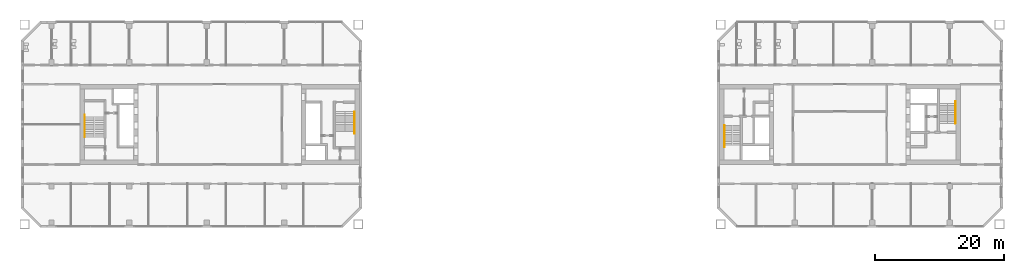
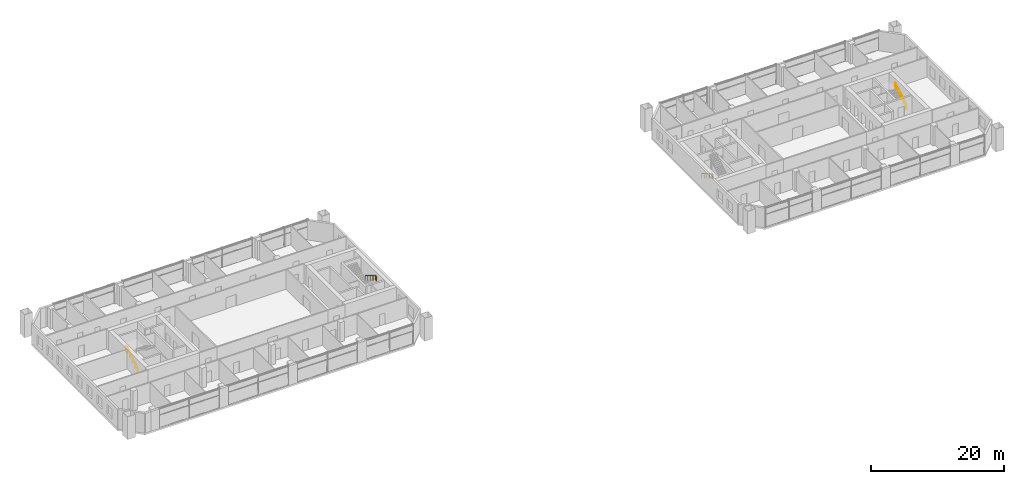
# One storey, part 18 of 19: 4 railings.
"""IFC4 building model written with IfcOpenShell, lengths in metres."""

import ifcopenshell
import ifcopenshell.guid

model = None  # the IFC model being written
_history = None  # IfcOwnerHistory: only IFC2X3 demands one
_inside = {}  # id of a spatial element -> (the spatial element, [elements in it])
_under = {}  # id of a project, library or spatial element -> (it, [spatial elements below it])
_declared = {}  # id of a project -> (the project, [libraries it declares])
_typed = {}  # id of a type object -> (the type object, [elements of that type])
_made_of = {}  # id of a material, layer set ... -> (it, [elements and type objects made of it])


def new_model(schema):
    """Start an empty IFC model of exactly this schema.

    Asked for "IFC4X3", IfcOpenShell would pick the latest addendum, in which some entities
    have other attributes; the version numbers below select the first issue.
    IFC2X3 requires an IfcOwnerHistory on every rooted entity: one is made here for all.
    """
    global model, _history
    if schema == "IFC4X3":
        model = ifcopenshell.file(schema_version=(4, 3, 0, 0))
    else:
        model = ifcopenshell.file(schema=schema)
    _inside.clear()
    _under.clear()
    _declared.clear()
    _typed.clear()
    _made_of.clear()
    _history = None
    if model.schema == "IFC2X3":
        org = make("IfcOrganization", Name="unknown")
        user = make(
            "IfcPersonAndOrganization",
            ThePerson=make("IfcPerson", FamilyName="unknown"),
            TheOrganization=org,
        )
        app = make(
            "IfcApplication",
            ApplicationDeveloper=org,
            Version="unknown",
            ApplicationFullName="unknown",
            ApplicationIdentifier="unknown",
        )
        _history = make(
            "IfcOwnerHistory",
            OwningUser=user,
            OwningApplication=app,
            ChangeAction="ADDED",
            CreationDate=0,
        )
    return model


def make(cls, **values):
    """One entity of the class cls with the attributes given. An attribute that is None is left unset."""
    return model.create_entity(
        cls, **{name: value for name, value in values.items() if value is not None}
    )


def rooted(cls, **values):
    """An entity with a GlobalId (a new one), such as an element, a storey or a relation."""
    return make(cls, GlobalId=ifcopenshell.guid.new(), OwnerHistory=_history, **values)


def si_unit(unit_type, name, prefix=None):
    """IfcSIUnit, for example si_unit("LENGTHUNIT", "METRE", prefix="MILLI")."""
    return make("IfcSIUnit", UnitType=unit_type, Prefix=prefix, Name=name)


def assignment(units):
    """IfcUnitAssignment: the units of a project."""
    return None if units is None else make("IfcUnitAssignment", Units=units)


def point(xyz):
    """IfcCartesianPoint."""
    return None if xyz is None else make("IfcCartesianPoint", Coordinates=xyz)


def direction(xyz):
    """IfcDirection."""
    return None if xyz is None else make("IfcDirection", DirectionRatios=xyz)


def frame(location, z_axis=None, x_axis=None):
    """IfcAxis2Placement3D, a coordinate frame: its origin and axes. An axis left out is left unset."""
    return make(
        "IfcAxis2Placement3D",
        Location=point(location),
        Axis=direction(z_axis),
        RefDirection=direction(x_axis),
    )


def frame_2d(location, x_axis=None):
    """IfcAxis2Placement2D, a coordinate frame in the plane: its origin and x axis."""
    return make(
        "IfcAxis2Placement2D", Location=point(location), RefDirection=direction(x_axis)
    )


def origin():
    """The frame at (0, 0, 0) with its axes left unset."""
    return frame((0.0, 0.0, 0.0))


def origin_2d():
    """The frame at (0, 0) in the plane with its x axis left unset."""
    return frame_2d((0.0, 0.0))


def place(relative_to, where):
    """IfcLocalPlacement: puts the frame where relative to a parent placement (None: the world)."""
    return make(
        "IfcLocalPlacement", PlacementRelTo=relative_to, RelativePlacement=where
    )


def context(
    kind, dimensions, precision=None, world=None, true_north=None, identifier=None
):
    """IfcGeometricRepresentationContext, for example the 3D "Model" context."""
    return make(
        "IfcGeometricRepresentationContext",
        ContextIdentifier=identifier,
        ContextType=kind,
        CoordinateSpaceDimension=dimensions,
        Precision=precision,
        WorldCoordinateSystem=world,
        TrueNorth=true_north,
    )


def subcontext(parent, identifier, kind, view, scale=None):
    """IfcGeometricRepresentationSubContext, for example "Body" below "Model"."""
    return make(
        "IfcGeometricRepresentationSubContext",
        ContextIdentifier=identifier,
        ContextType=kind,
        ParentContext=parent,
        TargetScale=scale,
        TargetView=view,
    )


def project(units=None, contexts=None):
    """IfcProject with its units and contexts."""
    return rooted(
        "IfcProject",
        Name="project",
        RepresentationContexts=contexts,
        UnitsInContext=assignment(units),
    )


def spatial(cls, under=None, at=None, **own):
    """A site, building, storey or space (cls), placed at a placement, below another one or the project."""
    s = rooted(cls, ObjectPlacement=at, **own)
    if under is not None:
        _under.setdefault(under.id(), (under, []))[1].append(s)
    return s


def profile(cls, at=None, kind="AREA", **sizes):
    """A parametric profile (cls). Its sizes go by their IFC names, for example OverallWidth=200.0."""
    return make(cls, ProfileType=kind, Position=at, **sizes)


def circle(**sizes):
    """IfcCircleProfileDef."""
    return profile("IfcCircleProfileDef", **sizes)


def extrude(swept, where, along, depth):
    """IfcExtrudedAreaSolid: the profile swept, set in the frame where, extruded along a direction by depth."""
    return make(
        "IfcExtrudedAreaSolid",
        SweptArea=swept,
        Position=where,
        ExtrudedDirection=direction(along),
        Depth=depth,
    )


def shape(context_of_items, identifier, shape_type, items):
    """IfcShapeRepresentation: the items that make up one representation, for example the "Body"."""
    return make(
        "IfcShapeRepresentation",
        ContextOfItems=context_of_items,
        RepresentationIdentifier=identifier,
        RepresentationType=shape_type,
        Items=items,
    )


def material(Name=None, Category=None):
    """IfcMaterial."""
    return make("IfcMaterial", Name=Name, Category=Category)


def made_of(thing, what):
    """Note that an element or type object is made of a material, layer set ...; save() writes the relation."""
    if what is not None:
        _made_of.setdefault(what.id(), (what, []))[1].append(thing)
    return thing


def type_object(cls, material=None, **own):
    """A type object (cls), such as IfcWallType, which elements share."""
    return made_of(rooted(cls, **own), material)


def element(
    cls,
    number,
    at=None,
    inside=None,
    cuts=None,
    type_object=None,
    material=None,
    context=None,
    identifier="Body",
    shape_type=None,
    held_by="IfcProductDefinitionShape",
    body=None,
    shapes=None,
    **own,
):
    """One element of the class cls, such as IfcWall. Its Tag is "e" and its number.

    at: its placement. inside: the storey or other place that contains it. cuts: it is an
    opening in that element (IfcRelVoidsElement). A single representation is given by context,
    identifier, shape_type and body (its items); several are given by shapes. held_by: the class
    of the entity that holds the representations. save() writes the other relations.
    """
    e = rooted(cls, Tag="e%d" % number, ObjectPlacement=at, **own)
    if body is not None:
        shapes = [shape(context, identifier, shape_type, body)]
    if shapes is not None:
        e.Representation = make(held_by, Representations=shapes)
    if inside is not None:
        _inside.setdefault(inside.id(), (inside, []))[1].append(e)
    if cuts is not None:
        rooted(
            "IfcRelVoidsElement", RelatingBuildingElement=cuts, RelatedOpeningElement=e
        )
    if type_object is not None:
        _typed.setdefault(type_object.id(), (type_object, []))[1].append(e)
    return made_of(e, material)


def aggregate(whole, parts):
    """IfcRelAggregates: a whole, such as a stair, and the parts it consists of."""
    return rooted("IfcRelAggregates", RelatingObject=whole, RelatedObjects=parts)


def save(model, path):
    """Write the relations noted so far, then the file.

    IfcRelAggregates (storeys below a building ...), IfcRelContainedInSpatialStructure (elements
    in a storey), IfcRelDefinesByType, IfcRelAssociatesMaterial and IfcRelDeclares: one each for
    every whole, place, type object, material and project.
    """
    for whole, parts in _under.values():
        aggregate(whole, parts)
    for where, things in _inside.values():
        rooted(
            "IfcRelContainedInSpatialStructure",
            RelatedElements=things,
            RelatingStructure=where,
        )
    for kind, things in _typed.values():
        rooted("IfcRelDefinesByType", RelatedObjects=things, RelatingType=kind)
    for what, things in _made_of.values():
        rooted("IfcRelAssociatesMaterial", RelatedObjects=things, RelatingMaterial=what)
    for by, libraries in _declared.values():
        rooted("IfcRelDeclares", RelatingContext=by, RelatedDefinitions=libraries)
    model.write(path)


model = new_model("IFC4")

# Units and contexts
model_context = context("Model", 3, precision=1e-05, world=origin(), true_north=direction((0.0, 1.0)))
body_context = subcontext(model_context, "Body", "Model", "MODEL_VIEW")
ifc_project = project(units=[si_unit("LENGTHUNIT", "METRE"), si_unit("AREAUNIT", "SQUARE_METRE"), si_unit("VOLUMEUNIT", "CUBIC_METRE"), si_unit("PLANEANGLEUNIT", "RADIAN"), si_unit("MASSUNIT", "GRAM", prefix="KILO")], contexts=[model_context])

# Site, building, storey
site_placement = place(None, origin())
site = spatial("IfcSite", under=ifc_project, at=site_placement, CompositionType="ELEMENT")
building_placement = place(site_placement, origin())
building = spatial("IfcBuilding", under=site, at=building_placement, Name="Tuart Gate Housing", CompositionType="ELEMENT")
storey_placement = place(building_placement, frame((0.0, 0.0, 67.39990234375)))
storey = spatial("IfcBuildingStorey", under=building, at=storey_placement, Name="L18", CompositionType="ELEMENT", Elevation=67.39990234375)

# Railings
ifc_material = material(Name="Stainless steel", Category="steel")
railing_type = type_object("IfcRailingType", Name="Stair handrail 900", PredefinedType="HANDRAIL", material=ifc_material)
railing_1_placement = place(storey_placement, frame((74.8798828125, 71.949951171875, 0.175048828125)))
element("IfcRailing", 1, at=railing_1_placement, inside=storey, type_object=railing_type, Name="Stair handrail SA1.1", PredefinedType="HANDRAIL", context=body_context, shape_type="SweptSolid", body=[
    extrude(circle(Radius=0.02392578125, at=origin_2d()), frame((0.0, 0.0, 0.8759765625), z_axis=(0.0, -0.847979421464, 0.530029150871), x_axis=(1.0, 0.0, 0.0)), (0.0, 0.0, 1.0), 3.632080078125),
    extrude(circle(Radius=0.02392578125, at=origin_2d()), frame((0.0, -3.079833984375, 2.80078125), z_axis=(0.0, -1.0, 0.0), x_axis=(1.0, 0.0, 0.0)), (0.0, 0.0, 1.0), 0.300048828125),
    extrude(circle(Radius=0.02099609375, at=origin_2d()), origin(), (0.0, 0.0, 1.0), 0.851806640625),
    extrude(circle(Radius=0.02099609375, at=origin_2d()), frame((0.0, -0.77001953125, 0.481201171875)), (0.0, 0.0, 1.0), 0.851806640625),
    extrude(circle(Radius=0.02099609375, at=origin_2d()), frame((0.0, -1.5400390625, 0.96240234375)), (0.0, 0.0, 1.0), 0.851806640625),
    extrude(circle(Radius=0.02099609375, at=origin_2d()), frame((0.0, -2.309814453125, 1.44384765625)), (0.0, 0.0, 1.0), 0.851806640625),
    extrude(circle(Radius=0.02099609375, at=origin_2d()), frame((0.0, -3.079833984375, 1.925048828125)), (0.0, 0.0, 1.0), 0.851806640625),
    extrude(circle(Radius=0.02099609375, at=origin_2d()), frame((0.0, -3.3798828125, 1.925048828125)), (0.0, 0.0, 1.0), 0.851806640625),
])
railing_2_placement = place(storey_placement, frame((33.1201171875, 68.050048828125, 0.175048828125)))
element("IfcRailing", 2, at=railing_2_placement, inside=storey, type_object=railing_type, Name="Stair handrail SA2.1", PredefinedType="HANDRAIL", context=body_context, shape_type="SweptSolid", body=[
    extrude(circle(Radius=0.02392578125, at=origin_2d()), frame((0.0, 0.0, 0.8759765625), z_axis=(0.0, 0.847979421464, 0.530029150871), x_axis=(-1.0, 0.0, 0.0)), (0.0, 0.0, 1.0), 3.632080078125),
    extrude(circle(Radius=0.02392578125, at=origin_2d()), frame((0.0, 3.079833984375, 2.80078125), z_axis=(0.0, 1.0, 0.0), x_axis=(-1.0, 0.0, 0.0)), (0.0, 0.0, 1.0), 0.300048828125),
    extrude(circle(Radius=0.02099609375, at=origin_2d()), origin(), (0.0, 0.0, 1.0), 0.851806640625),
    extrude(circle(Radius=0.02099609375, at=origin_2d()), frame((0.0, 0.77001953125, 0.481201171875)), (0.0, 0.0, 1.0), 0.851806640625),
    extrude(circle(Radius=0.02099609375, at=origin_2d()), frame((0.0, 1.5400390625, 0.96240234375)), (0.0, 0.0, 1.0), 0.851806640625),
    extrude(circle(Radius=0.02099609375, at=origin_2d()), frame((0.0, 2.309814453125, 1.44384765625)), (0.0, 0.0, 1.0), 0.851806640625),
    extrude(circle(Radius=0.02099609375, at=origin_2d()), frame((0.0, 3.079833984375, 1.925048828125)), (0.0, 0.0, 1.0), 0.851806640625),
    extrude(circle(Radius=0.02099609375, at=origin_2d()), frame((0.0, 3.3798828125, 1.925048828125)), (0.0, 0.0, 1.0), 0.851806640625),
])
railing_3_placement = place(storey_placement, frame((132.1201171875, 69.85009765625, 0.175048828125)))
element("IfcRailing", 3, at=railing_3_placement, inside=storey, type_object=railing_type, Name="Stair handrail SB1.1", PredefinedType="HANDRAIL", context=body_context, shape_type="SweptSolid", body=[
    extrude(circle(Radius=0.02392578125, at=origin_2d()), frame((0.0, 0.0, 0.8759765625), z_axis=(0.0, -0.847998304005, 0.529998940003), x_axis=(1.0, 0.0, 0.0)), (0.0, 0.0, 1.0), 3.632080078125),
    extrude(circle(Radius=0.02392578125, at=origin_2d()), frame((0.0, -3.080078125, 2.80078125), z_axis=(0.0, -1.0, 0.0), x_axis=(1.0, 0.0, 0.0)), (0.0, 0.0, 1.0), 0.300048828125),
    extrude(circle(Radius=0.02099609375, at=origin_2d()), origin(), (0.0, 0.0, 1.0), 0.851806640625),
    extrude(circle(Radius=0.02099609375, at=origin_2d()), frame((0.0, -0.77001953125, 0.481201171875)), (0.0, 0.0, 1.0), 0.851806640625),
    extrude(circle(Radius=0.02099609375, at=origin_2d()), frame((0.0, -1.5400390625, 0.96240234375)), (0.0, 0.0, 1.0), 0.851806640625),
    extrude(circle(Radius=0.02099609375, at=origin_2d()), frame((0.0, -2.31005859375, 1.44384765625)), (0.0, 0.0, 1.0), 0.851806640625),
    extrude(circle(Radius=0.02099609375, at=origin_2d()), frame((0.0, -3.080078125, 1.925048828125)), (0.0, 0.0, 1.0), 0.851806640625),
    extrude(circle(Radius=0.02099609375, at=origin_2d()), frame((0.0, -3.380126953125, 1.925048828125)), (0.0, 0.0, 1.0), 0.851806640625),
])
railing_4_placement = place(storey_placement, frame((167.8798828125, 70.14990234375, 0.175048828125)))
element("IfcRailing", 4, at=railing_4_placement, inside=storey, type_object=railing_type, Name="Stair handrail SB2.1", PredefinedType="HANDRAIL", context=body_context, shape_type="SweptSolid", body=[
    extrude(circle(Radius=0.02392578125, at=origin_2d()), frame((0.0, 0.0, 0.8759765625), z_axis=(0.0, 0.847998304005, 0.529998940003), x_axis=(-1.0, 0.0, 0.0)), (0.0, 0.0, 1.0), 3.632080078125),
    extrude(circle(Radius=0.02392578125, at=origin_2d()), frame((0.0, 3.080078125, 2.80078125), z_axis=(0.0, 1.0, 0.0), x_axis=(-1.0, 0.0, 0.0)), (0.0, 0.0, 1.0), 0.300048828125),
    extrude(circle(Radius=0.02099609375, at=origin_2d()), origin(), (0.0, 0.0, 1.0), 0.851806640625),
    extrude(circle(Radius=0.02099609375, at=origin_2d()), frame((0.0, 0.77001953125, 0.481201171875)), (0.0, 0.0, 1.0), 0.851806640625),
    extrude(circle(Radius=0.02099609375, at=origin_2d()), frame((0.0, 1.5400390625, 0.96240234375)), (0.0, 0.0, 1.0), 0.851806640625),
    extrude(circle(Radius=0.02099609375, at=origin_2d()), frame((0.0, 2.31005859375, 1.44384765625)), (0.0, 0.0, 1.0), 0.851806640625),
    extrude(circle(Radius=0.02099609375, at=origin_2d()), frame((0.0, 3.080078125, 1.925048828125)), (0.0, 0.0, 1.0), 0.851806640625),
    extrude(circle(Radius=0.02099609375, at=origin_2d()), frame((0.0, 3.380126953125, 1.925048828125)), (0.0, 0.0, 1.0), 0.851806640625),
])

save(model, "model.ifc")
